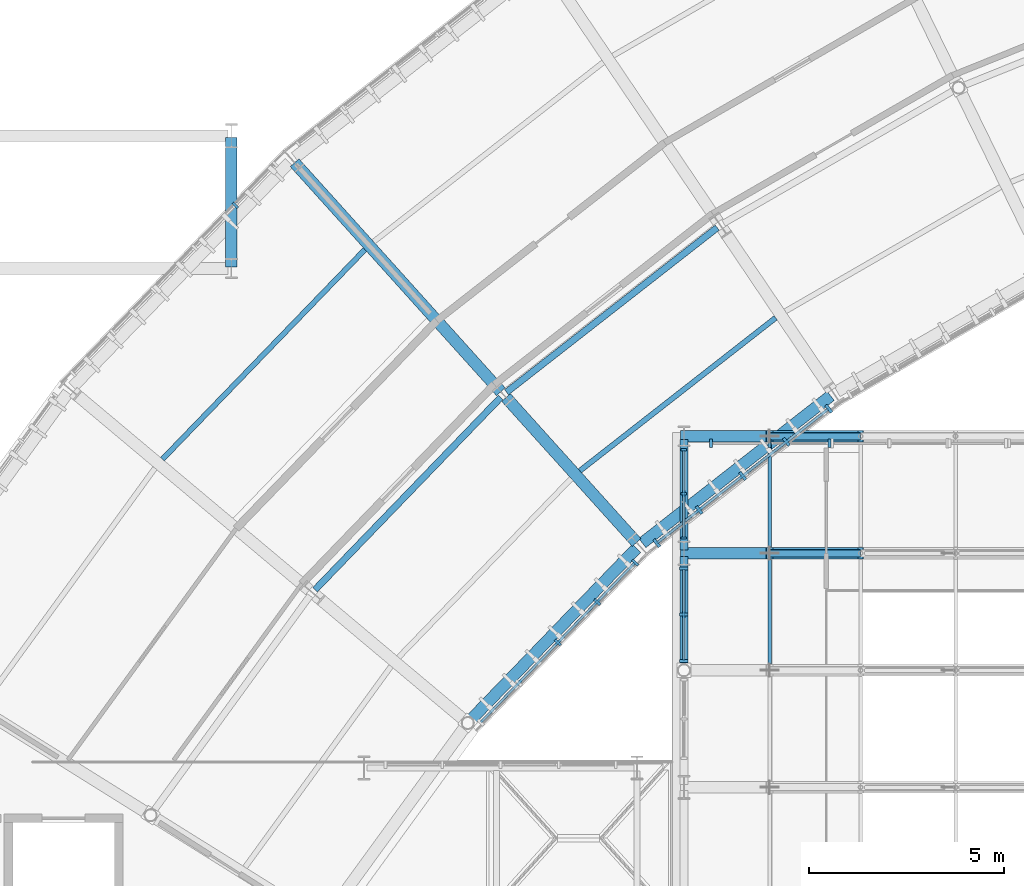
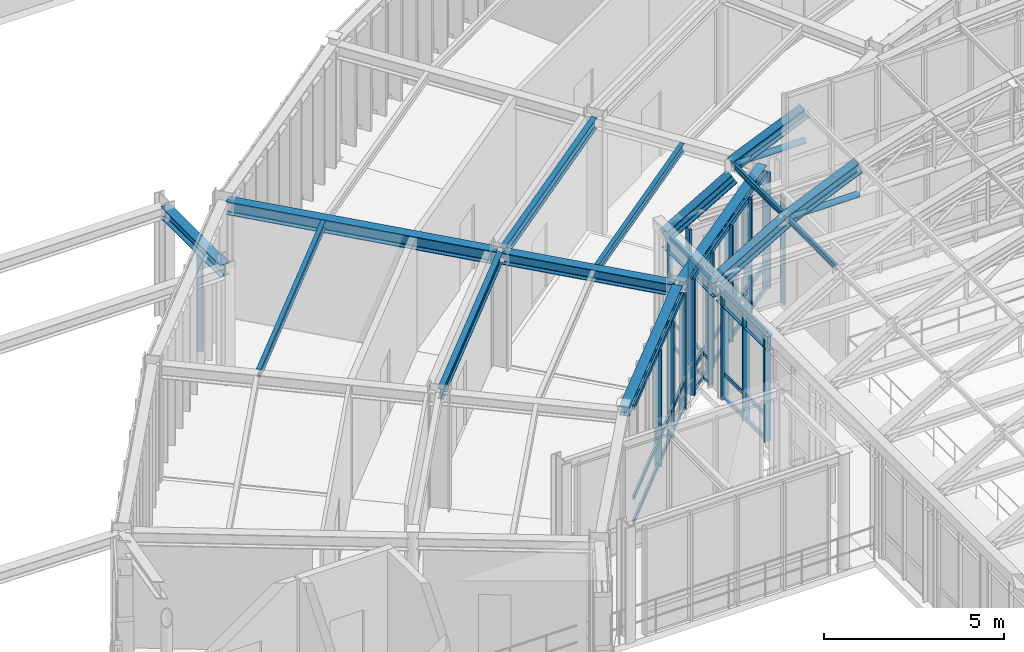
# One storey, part 26 of 148: 32 members, 17 beams, 6 elements without a shape of their own.
"""IFC4 building model written with IfcOpenShell, lengths in metres."""

from ifc_helpers import new_model, si_unit, direction, frame, origin, origin_2d, place, context, subcontext, project, spatial, rectangle, hollow_circle, i_section, extrude, material, layer, layer_set, material_profile, profile_set, type_object, element, aggregate, save


model = new_model("IFC4")

# Units and contexts
model_context = context("Model", 3, precision=1e-05, world=origin(), true_north=direction((0.0, 1.0)))
body_context = subcontext(model_context, "Body", "Model", "MODEL_VIEW")
ifc_project = project(units=[si_unit("LENGTHUNIT", "METRE"), si_unit("AREAUNIT", "SQUARE_METRE"), si_unit("VOLUMEUNIT", "CUBIC_METRE"), si_unit("PLANEANGLEUNIT", "RADIAN"), si_unit("MASSUNIT", "GRAM", prefix="KILO"), si_unit("THERMODYNAMICTEMPERATUREUNIT", "KELVIN"), si_unit("POWERUNIT", "WATT")], contexts=[model_context])

# Site, building, storey
site_placement = place(None, origin())
site = spatial("IfcSite", under=ifc_project, at=site_placement, CompositionType="ELEMENT")
building_placement = place(site_placement, origin())
building = spatial("IfcBuilding", under=site, at=building_placement, Name="Solvatero Civic Police Headquarters", CompositionType="ELEMENT")
storey_placement = place(building_placement, frame((0.0, 0.0, 5.10009765625)))
storey = spatial("IfcBuildingStorey", under=building, at=storey_placement, Name="L01", CompositionType="ELEMENT", Elevation=5.10009765625)

# Beams
ifc_material_1 = material(Name="Steel S355", Category="steel")
ifc_material_profile_1 = material_profile(ifc_material_1, i_section(OverallWidth=0.300048828125, OverallDepth=0.2900390625, WebThickness=0.008544921875, FlangeThickness=0.013916015625, FilletRadius=0.027099609375, at=origin_2d()), Name="HEA 300")
ifc_profile_set_1 = profile_set([ifc_material_profile_1], Name="Steel S355")
beam_type_1 = type_object("IfcBeamType", Name="BM-ST-HEA300", PredefinedType="SPANDREL", material=ifc_profile_set_1)
for number, where, z_axis, x_axis, name in (
    (1, (68.561767578125, 63.535400390625, 3.8349609375), (-0.788005042089, -0.615668785665, 0.0), (0.615668785665, -0.788005042089, 0.0), "Perimeter / radial spandrel beam BM-R2-L01-ARC-CIN-B06"),
    (2, (63.58544921875, 59.629638671875, 3.8349609375), (-0.694666334327, -0.719332109635, 0.0), (0.719332109635, -0.694666334327, 0.0), "Perimeter / radial spandrel beam BM-R2-L01-ARC-CIN-B07"),
):
    element("IfcBeam", number, at=place(storey_placement, frame(where, z_axis=z_axis, x_axis=x_axis)), inside=storey, type_object=beam_type_1, Name=name, PredefinedType="SPANDREL", context=body_context, shape_type="SweptSolid", body=[
        extrude(i_section(OverallWidth=0.300048828125, OverallDepth=0.2900390625, WebThickness=0.008544921875, FlangeThickness=0.013916015625, FilletRadius=0.027099609375, at=origin_2d()), origin(), (0.0, 0.0, 1.0), 6.126953125),
    ])
ifc_material_profile_2 = material_profile(ifc_material_1, i_section(OverallWidth=0.300048828125, OverallDepth=0.389892578125, WebThickness=0.010986328125, FlangeThickness=0.01904296875, FilletRadius=0.027099609375, at=origin_2d()), Name="HEA 400")
ifc_profile_set_2 = profile_set([ifc_material_profile_2], Name="Steel S355")
beam_type_2 = type_object("IfcBeamType", Name="BM-ST-HEA400", PredefinedType="BEAM", material=ifc_profile_set_2)
beam_1_placement = place(storey_placement, frame((63.587890625, 59.77587890625, 3.784912109375), z_axis=(-0.669126573551, 0.743148456614, 0.0), x_axis=(-0.743148456614, -0.669126573551, 0.0)))
element("IfcBeam", 3, at=beam_1_placement, inside=storey, type_object=beam_type_2, Name="Primary girder BM-R2-L01-ARC-RAD1-S06", PredefinedType="BEAM", context=body_context, shape_type="SweptSolid", body=[
    extrude(i_section(OverallWidth=0.300048828125, OverallDepth=0.389892578125, WebThickness=0.010986328125, FlangeThickness=0.01904296875, FilletRadius=0.027099609375, at=origin_2d()), origin(), (0.0, 0.0, 1.0), 5.0),
])
ifc_material_profile_3 = material_profile(ifc_material_1, i_section(OverallWidth=0.300048828125, OverallDepth=0.43994140625, WebThickness=0.011474609375, FlangeThickness=0.02099609375, FilletRadius=0.027099609375, at=origin_2d()), Name="HEA 450")
ifc_profile_set_3 = profile_set([ifc_material_profile_3], Name="Steel S355")
beam_type_3 = type_object("IfcBeamType", Name="BM-ST-HEA450", PredefinedType="BEAM", material=ifc_profile_set_3)
beam_2_placement = place(storey_placement, frame((60.1083984375, 63.640380859375, 3.760009765625), z_axis=(-0.669128632475, 0.743146602766, 0.0), x_axis=(-0.743146602766, -0.669128632475, 0.0)))
element("IfcBeam", 4, at=beam_2_placement, inside=storey, type_object=beam_type_3, Name="Primary girder BM-R2-L01-ARC-RAD2-S06", PredefinedType="BEAM", context=body_context, shape_type="SweptSolid", body=[
    extrude(i_section(OverallWidth=0.300048828125, OverallDepth=0.43994140625, WebThickness=0.011474609375, FlangeThickness=0.02099609375, FilletRadius=0.027099609375, at=origin_2d()), origin(), (0.0, 0.0, 1.0), 7.899658203125),
])
ifc_material_profile_4 = material_profile(ifc_material_1, i_section(OverallWidth=0.300048828125, OverallDepth=0.360107421875, WebThickness=0.012451171875, FlangeThickness=0.0224609375, FilletRadius=0.027099609375, at=origin_2d()), Name="HEB 360")
ifc_profile_set_4 = profile_set([ifc_material_profile_4], Name="Steel S355")
beam_type_4 = type_object("IfcBeamType", Name="BM-ST-HEB360", PredefinedType="BEAM", material=ifc_profile_set_4)
beam_3_placement = place(storey_placement, frame((64.800048828125, 59.5, 3.806884765625), z_axis=(0.865485501766, 0.0, 0.500933973926), x_axis=(0.0, 1.0, 0.0)))
element("IfcBeam", 5, at=beam_3_placement, inside=storey, type_object=beam_type_4, Name="VLT2 Tied-Arch Vault Top Chord F7.1", PredefinedType="BEAM", context=body_context, shape_type="SweptSolid", body=[
    extrude(i_section(OverallWidth=0.300048828125, OverallDepth=0.360107421875, WebThickness=0.012451171875, FlangeThickness=0.0224609375, FilletRadius=0.027099609375, at=origin_2d()), origin(), (0.0, 0.0, 1.0), 2.540283203125),
])
beam_4_placement = place(storey_placement, frame((66.99853515625, 59.5, 5.101806640625), z_axis=(0.917917593787, 0.0, 0.396771081377), x_axis=(0.0, 1.0, 0.0)))
element("IfcBeam", 6, at=beam_4_placement, inside=storey, type_object=beam_type_4, Name="VLT2 Tied-Arch Vault Top Chord F7.2", PredefinedType="BEAM", context=body_context, shape_type="SweptSolid", body=[
    extrude(i_section(OverallWidth=0.300048828125, OverallDepth=0.360107421875, WebThickness=0.012451171875, FlangeThickness=0.0224609375, FilletRadius=0.027099609375, at=origin_2d()), origin(), (0.0, 0.0, 1.0), 2.5400390625),
])
beam_5_placement = place(storey_placement, frame((64.800048828125, 62.5, 3.453857421875), z_axis=(0.865485501766, 0.0, 0.500933973926), x_axis=(0.0, 1.0, 0.0)))
element("IfcBeam", 7, at=beam_5_placement, inside=storey, type_object=beam_type_4, Name="VLT2 Tied-Arch Vault Top Chord F8.1", PredefinedType="BEAM", context=body_context, shape_type="SweptSolid", body=[
    extrude(i_section(OverallWidth=0.300048828125, OverallDepth=0.360107421875, WebThickness=0.012451171875, FlangeThickness=0.0224609375, FilletRadius=0.027099609375, at=origin_2d()), origin(), (0.0, 0.0, 1.0), 2.540283203125),
])
beam_6_placement = place(storey_placement, frame((66.99853515625, 62.5, 5.13623046875), z_axis=(0.917917593787, 0.0, 0.396771081377), x_axis=(0.0, 1.0, 0.0)))
element("IfcBeam", 8, at=beam_6_placement, inside=storey, type_object=beam_type_4, Name="VLT2 Tied-Arch Vault Top Chord F8.2", PredefinedType="BEAM", context=body_context, shape_type="SweptSolid", body=[
    extrude(i_section(OverallWidth=0.300048828125, OverallDepth=0.360107421875, WebThickness=0.012451171875, FlangeThickness=0.0224609375, FilletRadius=0.027099609375, at=origin_2d()), origin(), (0.0, 0.0, 1.0), 2.5400390625),
])
ifc_material_profile_5 = material_profile(ifc_material_1, i_section(OverallWidth=0.300048828125, OverallDepth=0.39990234375, WebThickness=0.013427734375, FlangeThickness=0.02392578125, FilletRadius=0.027099609375, at=origin_2d()), Name="HEB 400")
ifc_profile_set_5 = profile_set([ifc_material_profile_5], Name="Steel S355")
beam_type_5 = type_object("IfcBeamType", Name="BM-ST-HEB400", PredefinedType="BEAM", material=ifc_profile_set_5)
beam_7_placement = place(storey_placement, frame((53.199951171875, 66.840087890625, 3.75), z_axis=(0.0, 1.0, 0.0), x_axis=(-1.0, 0.0, 0.0)))
element("IfcBeam", 9, at=beam_7_placement, inside=storey, type_object=beam_type_5, Name="Primary girder BM-R2-L01-SB2-SEAT-E", PredefinedType="BEAM", context=body_context, shape_type="SweptSolid", body=[
    extrude(i_section(OverallWidth=0.300048828125, OverallDepth=0.39990234375, WebThickness=0.013427734375, FlangeThickness=0.02392578125, FilletRadius=0.027099609375, at=origin_2d()), origin(), (0.0, 0.0, 1.0), 3.31982421875),
])
ifc_material_profile_6 = material_profile(ifc_material_1, i_section(OverallWidth=0.091064453125, OverallDepth=0.179931640625, WebThickness=0.00537109375, FlangeThickness=0.008056640625, FilletRadius=0.009033203125, at=origin_2d()), Name="IPE 180")
ifc_profile_set_6 = profile_set([ifc_material_profile_6], Name="Steel S355")
beam_type_6 = type_object("IfcBeamType", Name="BM-ST-IPE180", PredefinedType="JOIST", material=ifc_profile_set_6)
for number, where, z_axis, x_axis, name in (
    (10, (66.99853515625, 56.657958984375, 5.172119140625), (0.0, 1.0, 0.0), (-1.0, 0.0, 0.0), "VLT2 Vault Roof Purlin B6.1"),
    (11, (66.99853515625, 59.657958984375, 5.17236328125), (0.0, 1.0, 0.0), (-1.0, 0.0, 0.0), "VLT2 Vault Roof Purlin B7.1"),
):
    element("IfcBeam", number, at=place(storey_placement, frame(where, z_axis=z_axis, x_axis=x_axis)), inside=storey, type_object=beam_type_6, Name=name, PredefinedType="JOIST", context=body_context, shape_type="SweptSolid", body=[
        extrude(i_section(OverallWidth=0.091064453125, OverallDepth=0.179931640625, WebThickness=0.00537109375, FlangeThickness=0.008056640625, FilletRadius=0.009033203125, at=origin_2d()), origin(), (0.0, 0.0, 1.0), 2.68408203125),
    ])
ifc_material_profile_7 = material_profile(ifc_material_1, i_section(OverallWidth=0.135009765625, OverallDepth=0.27001953125, WebThickness=0.006591796875, FlangeThickness=0.01025390625, FilletRadius=0.014892578125, at=origin_2d()), Name="IPE 270")
ifc_profile_set_7 = profile_set([ifc_material_profile_7], Name="Steel S355")
beam_type_7 = type_object("IfcBeamType", Name="BM-ST-IPE270", PredefinedType="BEAM", material=ifc_profile_set_7)
beam_8_placement = place(storey_placement, frame((67.15234375, 65.53564453125, 3.844970703125), z_axis=(-0.787994151897, -0.615682723955, 0.0), x_axis=(0.615682723955, -0.787994151897, 0.0)))
element("IfcBeam", 12, at=beam_8_placement, inside=storey, type_object=beam_type_7, Name="Composite floor beam BM-R2-L01-ARC-CS1-B06", PredefinedType="BEAM", context=body_context, shape_type="SweptSolid", body=[
    extrude(i_section(OverallWidth=0.135009765625, OverallDepth=0.27001953125, WebThickness=0.006591796875, FlangeThickness=0.01025390625, FilletRadius=0.014892578125, at=origin_2d()), origin(), (0.0, 0.0, 1.0), 6.36865234375),
])
beam_9_placement = place(storey_placement, frame((56.625244140625, 67.285400390625, 3.844970703125), z_axis=(-0.69464641537, -0.719351345042, 0.0), x_axis=(0.719351345042, -0.69464641537, 0.0)))
element("IfcBeam", 13, at=beam_9_placement, inside=storey, type_object=beam_type_7, Name="Composite floor beam BM-R2-L01-ARC-CS2-B07", PredefinedType="BEAM", context=body_context, shape_type="SweptSolid", body=[
    extrude(i_section(OverallWidth=0.135009765625, OverallDepth=0.27001953125, WebThickness=0.006591796875, FlangeThickness=0.01025390625, FilletRadius=0.014892578125, at=origin_2d()), origin(), (0.0, 0.0, 1.0), 7.470947265625),
])
ifc_material_profile_8 = material_profile(ifc_material_1, i_section(OverallWidth=0.169921875, OverallDepth=0.360107421875, WebThickness=0.008056640625, FlangeThickness=0.0126953125, FilletRadius=0.01806640625, at=origin_2d()), Name="IPE 360")
ifc_profile_set_8 = profile_set([ifc_material_profile_8], Name="Steel S355")
beam_type_8 = type_object("IfcBeamType", Name="BM-ST-IPE360", PredefinedType="BEAM", material=ifc_profile_set_8)
beam_10_placement = place(storey_placement, frame((65.654052734375, 67.84619140625, 3.7998046875), z_axis=(-0.788036257023, -0.615628831047, 0.0), x_axis=(0.615628831047, -0.788036257023, 0.0)))
element("IfcBeam", 14, at=beam_10_placement, inside=storey, type_object=beam_type_8, Name="Composite floor beam BM-R2-L01-ARC-CMID-B06", PredefinedType="BEAM", context=body_context, shape_type="SweptSolid", body=[
    extrude(i_section(OverallWidth=0.169921875, OverallDepth=0.360107421875, WebThickness=0.008056640625, FlangeThickness=0.0126953125, FilletRadius=0.01806640625, at=origin_2d()), origin(), (0.0, 0.0, 1.0), 6.852294921875),
])
beam_11_placement = place(storey_placement, frame((60.10595703125, 63.494140625, 3.7998046875), z_axis=(-0.694635840839, -0.719361556258, 0.0), x_axis=(0.719361556258, -0.694635840839, 0.0)))
element("IfcBeam", 15, at=beam_11_placement, inside=storey, type_object=beam_type_8, Name="Composite floor beam BM-R2-L01-ARC-CMID-B07", PredefinedType="BEAM", context=body_context, shape_type="SweptSolid", body=[
    extrude(i_section(OverallWidth=0.169921875, OverallDepth=0.360107421875, WebThickness=0.008056640625, FlangeThickness=0.0126953125, FilletRadius=0.01806640625, at=origin_2d()), origin(), (0.0, 0.0, 1.0), 6.8525390625),
])
ifc_material_profile_9 = material_profile(ifc_material_1, i_section(OverallWidth=0.199951171875, OverallDepth=0.5, WebThickness=0.01025390625, FlangeThickness=0.01611328125, FilletRadius=0.02099609375, at=origin_2d()), Name="IPE 500")
ifc_profile_set_9 = profile_set([ifc_material_profile_9], Name="Steel S355")
beam_type_9 = type_object("IfcBeamType", Name="BM-ST-IPE500", PredefinedType="BEAM", material=ifc_profile_set_9)
for number, where, z_axis, x_axis, name in (
    (16, (64.800048828125, 56.580078125, 3.429931640625), (0.0, 1.0, 0.0), (-1.0, 0.0, 0.0), "Primary girder BM-R2-VLT2-SPR-W-B6"),
    (17, (64.800048828125, 59.580078125, 3.429931640625), (0.0, 1.0, 0.0), (-1.0, 0.0, 0.0), "Primary girder BM-R2-VLT2-SPR-W-B7"),
):
    element("IfcBeam", number, at=place(storey_placement, frame(where, z_axis=z_axis, x_axis=x_axis)), inside=storey, type_object=beam_type_9, Name=name, PredefinedType="BEAM", context=body_context, shape_type="SweptSolid", body=[
        extrude(i_section(OverallWidth=0.199951171875, OverallDepth=0.5, WebThickness=0.01025390625, FlangeThickness=0.01611328125, FilletRadius=0.02099609375, at=origin_2d()), origin(), (0.0, 0.0, 1.0), 2.83984375),
    ])

# Curtain wall, members
ifc_material_2 = material(Name="Anodized Bronze Aluminium", Category="aluminium")
ifc_layer_1 = layer(ifc_material_2, 0.179931640625)
ifc_layer_set_1 = layer_set([ifc_layer_1], Name="Anodized Bronze Aluminium")
curtain_wall_type_1 = type_object("IfcCurtainWallType", Name="CW-ARC-IN", PredefinedType="USERDEFINED", material=ifc_layer_set_1)
curtain_wall_1_placement = place(storey_placement, origin())
curtain_wall_1 = element("IfcCurtainWall", 18, at=curtain_wall_1_placement, inside=storey, type_object=curtain_wall_type_1, Name="Curtain Wall CW-R2-L01-ARC-IN-B06", ObjectType="UNITISED", PredefinedType="USERDEFINED")
ifc_material_profile_10 = material_profile(ifc_material_2, rectangle(XDim=0.080078125, YDim=0.239990234375, at=origin_2d()), Name="ALU MULLION 80x240")
ifc_profile_set_10 = profile_set([ifc_material_profile_10], Name="Anodized Bronze Aluminium")
member_type_1 = type_object("IfcMemberType", Name="CWM-140x60", PredefinedType="MULLION", material=ifc_profile_set_10)
member_1_placement = place(storey_placement, frame((68.512451171875, 63.20556640625, 0.0), z_axis=(0.0, 0.0, 1.0), x_axis=(-0.788010753607, -0.615661475326, 0.0)))
member_1 = element("IfcMember", 19, at=member_1_placement, type_object=member_type_1, Name="CW-R2-L01-ARC-IN-B06 Mullion 1", PredefinedType="MULLION", context=body_context, shape_type="SweptSolid", body=[
    extrude(rectangle(XDim=0.080078125, YDim=0.239990234375, at=origin_2d()), origin(), (0.0, 0.0, 1.0), 3.93994140625),
])
member_2_placement = place(storey_placement, frame((67.42578125, 62.356689453125, 0.0), z_axis=(0.0, 0.0, 1.0), x_axis=(-0.788010753607, -0.615661475326, 0.0)))
member_2 = element("IfcMember", 20, at=member_2_placement, type_object=member_type_1, Name="CW-R2-L01-ARC-IN-B06 Mullion 2", PredefinedType="MULLION", context=body_context, shape_type="SweptSolid", body=[
    extrude(rectangle(XDim=0.080078125, YDim=0.239990234375, at=origin_2d()), origin(), (0.0, 0.0, 1.0), 3.93994140625),
])
member_3_placement = place(storey_placement, frame((66.307861328125, 61.483154296875, 0.0), z_axis=(0.0, 0.0, 1.0), x_axis=(-0.788010753607, -0.615661475326, 0.0)))
member_3 = element("IfcMember", 21, at=member_3_placement, type_object=member_type_1, Name="CW-R2-L01-ARC-IN-B06 Mullion 3", PredefinedType="MULLION", context=body_context, shape_type="SweptSolid", body=[
    extrude(rectangle(XDim=0.080078125, YDim=0.239990234375, at=origin_2d()), origin(), (0.0, 0.0, 1.0), 3.93994140625),
])
member_4_placement = place(storey_placement, frame((65.18994140625, 60.60986328125, 0.0), z_axis=(0.0, 0.0, 1.0), x_axis=(-0.788010753607, -0.615661475326, 0.0)))
member_4 = element("IfcMember", 22, at=member_4_placement, type_object=member_type_1, Name="CW-R2-L01-ARC-IN-B06 Mullion 4", PredefinedType="MULLION", context=body_context, shape_type="SweptSolid", body=[
    extrude(rectangle(XDim=0.080078125, YDim=0.239990234375, at=origin_2d()), origin(), (0.0, 0.0, 1.0), 3.93994140625),
])
member_5_placement = place(storey_placement, frame((64.103515625, 59.760986328125, 0.0), z_axis=(0.0, 0.0, 1.0), x_axis=(-0.788010753607, -0.615661475326, 0.0)))
member_5 = element("IfcMember", 23, at=member_5_placement, type_object=member_type_1, Name="CW-R2-L01-ARC-IN-B06 Mullion 5", PredefinedType="MULLION", context=body_context, shape_type="SweptSolid", body=[
    extrude(rectangle(XDim=0.080078125, YDim=0.239990234375, at=origin_2d()), origin(), (0.0, 0.0, 1.0), 3.93994140625),
])

ifc_layer_2 = layer(ifc_material_2, 0.179931640625)
ifc_layer_set_2 = layer_set([ifc_layer_2], Name="Anodized Bronze Aluminium")
curtain_wall_type_2 = type_object("IfcCurtainWallType", Name="CW-HAL-GLZ", PredefinedType="USERDEFINED", material=ifc_layer_set_2)
curtain_wall_2_placement = place(storey_placement, origin())
curtain_wall_2 = element("IfcCurtainWall", 24, at=curtain_wall_2_placement, inside=storey, type_object=curtain_wall_type_2, Name="Curtain Wall CW-R2-L01-V2-W-B7", ObjectType="UNITISED", PredefinedType="USERDEFINED")
ifc_material_profile_11 = material_profile(ifc_material_2, rectangle(XDim=0.06005859375, YDim=0.139892578125, at=origin_2d()), Name="ALU MULLION 60x140")
ifc_profile_set_11 = profile_set([ifc_material_profile_11], Name="Anodized Bronze Aluminium")
member_type_2 = type_object("IfcMemberType", Name="CWM-160x65", PredefinedType="MULLION", material=ifc_profile_set_11)
member_6_placement = place(storey_placement, frame((64.800048828125, 59.889892578125, 0.0), z_axis=(0.0, 0.0, 1.0), x_axis=(0.0, 1.0, 0.0)))
member_6 = element("IfcMember", 25, at=member_6_placement, type_object=member_type_2, Name="CW-R2-L01-V2-W-B7 Mullion 1", PredefinedType="MULLION", context=body_context, shape_type="SweptSolid", body=[
    extrude(rectangle(XDim=0.06005859375, YDim=0.139892578125, at=origin_2d()), origin(), (0.0, 0.0, 1.0), 3.659912109375),
])
member_7_placement = place(storey_placement, frame((64.800048828125, 61.02392578125, 0.0), z_axis=(0.0, 0.0, 1.0), x_axis=(0.0, 1.0, 0.0)))
member_7 = element("IfcMember", 26, at=member_7_placement, type_object=member_type_2, Name="CW-R2-L01-V2-W-B7 Mullion 2", PredefinedType="MULLION", context=body_context, shape_type="SweptSolid", body=[
    extrude(rectangle(XDim=0.06005859375, YDim=0.139892578125, at=origin_2d()), origin(), (0.0, 0.0, 1.0), 3.659912109375),
])
member_8_placement = place(storey_placement, frame((64.800048828125, 62.157958984375, 0.0), z_axis=(0.0, 0.0, 1.0), x_axis=(0.0, 1.0, 0.0)))
member_8 = element("IfcMember", 27, at=member_8_placement, type_object=member_type_2, Name="CW-R2-L01-V2-W-B7 Mullion 3", PredefinedType="MULLION", context=body_context, shape_type="SweptSolid", body=[
    extrude(rectangle(XDim=0.06005859375, YDim=0.139892578125, at=origin_2d()), origin(), (0.0, 0.0, 1.0), 3.659912109375),
])

# Curtain wall, member
ifc_layer_3 = layer(ifc_material_2, 0.179931640625)
ifc_layer_set_3 = layer_set([ifc_layer_3], Name="Anodized Bronze Aluminium")
curtain_wall_type_3 = type_object("IfcCurtainWallType", Name="CW-ARC-OUT", PredefinedType="USERDEFINED", material=ifc_layer_set_3)
curtain_wall_3_placement = place(storey_placement, origin())
curtain_wall_3 = element("IfcCurtainWall", 28, at=curtain_wall_3_placement, inside=storey, type_object=curtain_wall_type_3, Name="Curtain Wall CW-R2-L01-ARC-OUT-B07", ObjectType="UNITISED", PredefinedType="USERDEFINED")
ifc_material_profile_12 = material_profile(ifc_material_2, rectangle(XDim=0.06494140625, YDim=0.179931640625, at=origin_2d()), Name="ALU MULLION 65x180")
ifc_profile_set_12 = profile_set([ifc_material_profile_12], Name="Anodized Bronze Aluminium")
member_type_3 = type_object("IfcMemberType", Name="CWM-200x75", PredefinedType="MULLION", material=ifc_profile_set_12)
member_9_placement = place(storey_placement, frame((53.306640625, 68.415283203125, 0.0), z_axis=(0.0, 0.0, 1.0), x_axis=(-0.694645815505, -0.719351924305, 0.0)))
member_9 = element("IfcMember", 29, at=member_9_placement, type_object=member_type_3, Name="CW-R2-L01-ARC-OUT-B07 Mullion 2", PredefinedType="MULLION", context=body_context, shape_type="SweptSolid", body=[
    extrude(rectangle(XDim=0.06494140625, YDim=0.179931640625, at=origin_2d()), origin(), (0.0, 0.0, 1.0), 3.93994140625),
])
aggregate(curtain_wall_3, [member_9])

# Curtain wall, members
curtain_wall_4_placement = place(storey_placement, origin())
curtain_wall_4 = element("IfcCurtainWall", 30, at=curtain_wall_4_placement, inside=storey, type_object=curtain_wall_type_1, Name="Curtain Wall CW-R2-L01-ARC-IN-B07", ObjectType="UNITISED", PredefinedType="USERDEFINED")
ifc_material_profile_13 = material_profile(ifc_material_2, rectangle(XDim=0.070068359375, YDim=0.199951171875, at=origin_2d()), Name="ALU MULLION 70x200")
ifc_profile_set_13 = profile_set([ifc_material_profile_13], Name="Anodized Bronze Aluminium")
member_type_4 = type_object("IfcMemberType", Name="CWM-220x80", PredefinedType="MULLION", material=ifc_profile_set_13)
member_10_placement = place(storey_placement, frame((63.549072265625, 59.26171875, 0.0), z_axis=(0.0, 0.0, 1.0), x_axis=(-0.694658370459, -0.719339800339, 0.0)))
member_10 = element("IfcMember", 31, at=member_10_placement, type_object=member_type_4, Name="CW-R2-L01-ARC-IN-B07 Mullion 1", PredefinedType="MULLION", context=body_context, shape_type="SweptSolid", body=[
    extrude(rectangle(XDim=0.070068359375, YDim=0.199951171875, at=origin_2d()), origin(), (0.0, 0.0, 1.0), 3.93994140625),
])
member_11_placement = place(storey_placement, frame((62.573974609375, 58.251953125, 0.0), z_axis=(0.0, 0.0, 1.0), x_axis=(-0.694658370459, -0.719339800339, 0.0)))
member_11 = element("IfcMember", 32, at=member_11_placement, type_object=member_type_4, Name="CW-R2-L01-ARC-IN-B07 Mullion 2", PredefinedType="MULLION", context=body_context, shape_type="SweptSolid", body=[
    extrude(rectangle(XDim=0.070068359375, YDim=0.199951171875, at=origin_2d()), origin(), (0.0, 0.0, 1.0), 3.93994140625),
])
member_12_placement = place(storey_placement, frame((61.571044921875, 57.21337890625, 0.0), z_axis=(0.0, 0.0, 1.0), x_axis=(-0.694658370459, -0.719339800339, 0.0)))
member_12 = element("IfcMember", 33, at=member_12_placement, type_object=member_type_4, Name="CW-R2-L01-ARC-IN-B07 Mullion 3", PredefinedType="MULLION", context=body_context, shape_type="SweptSolid", body=[
    extrude(rectangle(XDim=0.070068359375, YDim=0.199951171875, at=origin_2d()), origin(), (0.0, 0.0, 1.0), 3.93994140625),
])

curtain_wall_5_placement = place(storey_placement, origin())
curtain_wall_5 = element("IfcCurtainWall", 34, at=curtain_wall_5_placement, inside=storey, type_object=curtain_wall_type_2, Name="Curtain Wall CW-R2-L01-V2-W-B6", ObjectType="UNITISED", PredefinedType="USERDEFINED")
ifc_material_profile_14 = material_profile(ifc_material_2, rectangle(XDim=0.074951171875, YDim=0.219970703125, at=origin_2d()), Name="ALU MULLION 75x220")
ifc_profile_set_14 = profile_set([ifc_material_profile_14], Name="Anodized Bronze Aluminium")
member_type_5 = type_object("IfcMemberType", Name="CWM-250x85", PredefinedType="MULLION", material=ifc_profile_set_14)
member_13_placement = place(storey_placement, frame((64.800048828125, 56.741943359375, 0.0), z_axis=(0.0, 0.0, 1.0), x_axis=(0.0, 1.0, 0.0)))
member_13 = element("IfcMember", 35, at=member_13_placement, type_object=member_type_5, Name="CW-R2-L01-V2-W-B6 Mullion 1", PredefinedType="MULLION", context=body_context, shape_type="SweptSolid", body=[
    extrude(rectangle(XDim=0.074951171875, YDim=0.219970703125, at=origin_2d()), origin(), (0.0, 0.0, 1.0), 3.659912109375),
])
member_14_placement = place(storey_placement, frame((64.800048828125, 57.926025390625, 0.0), z_axis=(0.0, 0.0, 1.0), x_axis=(0.0, 1.0, 0.0)))
member_14 = element("IfcMember", 36, at=member_14_placement, type_object=member_type_5, Name="CW-R2-L01-V2-W-B6 Mullion 2", PredefinedType="MULLION", context=body_context, shape_type="SweptSolid", body=[
    extrude(rectangle(XDim=0.074951171875, YDim=0.219970703125, at=origin_2d()), origin(), (0.0, 0.0, 1.0), 3.659912109375),
])
member_15_placement = place(storey_placement, frame((64.800048828125, 59.110107421875, 0.0), z_axis=(0.0, 0.0, 1.0), x_axis=(0.0, 1.0, 0.0)))
member_15 = element("IfcMember", 37, at=member_15_placement, type_object=member_type_5, Name="CW-R2-L01-V2-W-B6 Mullion 3", PredefinedType="MULLION", context=body_context, shape_type="SweptSolid", body=[
    extrude(rectangle(XDim=0.074951171875, YDim=0.219970703125, at=origin_2d()), origin(), (0.0, 0.0, 1.0), 3.659912109375),
])

curtain_wall_6_placement = place(storey_placement, origin())
curtain_wall_6 = element("IfcCurtainWall", 38, at=curtain_wall_6_placement, inside=storey, type_object=curtain_wall_type_2, Name="Curtain Wall CW-R2-L01-V2-N", ObjectType="UNITISED", PredefinedType="USERDEFINED")
member_16_placement = place(storey_placement, frame((65.5, 62.320068359375, 0.0), z_axis=(0.0, 0.0, 1.0), x_axis=(1.0, 0.0, 0.0)))
member_16 = element("IfcMember", 39, at=member_16_placement, type_object=member_type_5, Name="CW-R2-L01-V2-N Mullion 1", PredefinedType="MULLION", context=body_context, shape_type="SweptSolid", body=[
    extrude(rectangle(XDim=0.074951171875, YDim=0.219970703125, at=origin_2d()), origin(), (0.0, 0.0, 1.0), 3.619873046875),
])
member_17_placement = place(storey_placement, frame((66.995849609375, 62.320068359375, 0.0), z_axis=(0.0, 0.0, 1.0), x_axis=(1.0, 0.0, 0.0)))
member_17 = element("IfcMember", 40, at=member_17_placement, type_object=member_type_5, Name="CW-R2-L01-V2-N Mullion 2", PredefinedType="MULLION", context=body_context, shape_type="SweptSolid", body=[
    extrude(rectangle(XDim=0.074951171875, YDim=0.219970703125, at=origin_2d()), origin(), (0.0, 0.0, 1.0), 3.619873046875),
])
member_18_placement = place(storey_placement, frame((68.53173828125, 62.320068359375, 0.0), z_axis=(0.0, 0.0, 1.0), x_axis=(1.0, 0.0, 0.0)))
member_18 = element("IfcMember", 41, at=member_18_placement, type_object=member_type_5, Name="CW-R2-L01-V2-N Mullion 3", PredefinedType="MULLION", context=body_context, shape_type="SweptSolid", body=[
    extrude(rectangle(XDim=0.074951171875, YDim=0.219970703125, at=origin_2d()), origin(), (0.0, 0.0, 1.0), 3.619873046875),
])
aggregate(curtain_wall_6, [member_16, member_17, member_18])

# Member
ifc_material_profile_15 = material_profile(ifc_material_2, rectangle(XDim=0.070068359375, YDim=0.159912109375, at=origin_2d()), Name="ALU TRANSOM 70x160")
ifc_profile_set_15 = profile_set([ifc_material_profile_15], Name="Anodized Bronze Aluminium")
member_type_6 = type_object("IfcMemberType", Name="CWT-120x55", PredefinedType="USERDEFINED", material=ifc_profile_set_15)
member_19_placement = place(storey_placement, frame((68.50439453125, 63.199462890625, 0.039794921875), z_axis=(-0.787999144008, -0.615676334645, 0.0), x_axis=(0.615676334645, -0.787999144008, 0.0)))
member_19 = element("IfcMember", 42, at=member_19_placement, type_object=member_type_6, Name="CW-R2-L01-ARC-IN-B06 Transom 1", ObjectType="TRANSOM", PredefinedType="USERDEFINED", context=body_context, shape_type="SweptSolid", body=[
    extrude(rectangle(XDim=0.070068359375, YDim=0.159912109375, at=origin_2d()), origin(), (0.0, 0.0, 1.0), 5.574951171875),
])

member_20_placement = place(storey_placement, frame((68.50439453125, 63.199462890625, 0.849853515625), z_axis=(-0.787999144008, -0.615676334645, 0.0), x_axis=(0.615676334645, -0.787999144008, 0.0)))
member_20 = element("IfcMember", 43, at=member_20_placement, type_object=member_type_6, Name="CW-R2-L01-ARC-IN-B06 Transom 2", ObjectType="TRANSOM", PredefinedType="USERDEFINED", context=body_context, shape_type="SweptSolid", body=[
    extrude(rectangle(XDim=0.070068359375, YDim=0.159912109375, at=origin_2d()), origin(), (0.0, 0.0, 1.0), 5.574951171875),
])

member_21_placement = place(storey_placement, frame((68.50439453125, 63.199462890625, 3.89990234375), z_axis=(-0.787999144008, -0.615676334645, 0.0), x_axis=(0.615676334645, -0.787999144008, 0.0)))
member_21 = element("IfcMember", 44, at=member_21_placement, type_object=member_type_6, Name="CW-R2-L01-ARC-IN-B06 Transom 3", ObjectType="TRANSOM", PredefinedType="USERDEFINED", context=body_context, shape_type="SweptSolid", body=[
    extrude(rectangle(XDim=0.070068359375, YDim=0.159912109375, at=origin_2d()), origin(), (0.0, 0.0, 1.0), 5.574951171875),
])

aggregate(curtain_wall_1, [member_1, member_2, member_3, member_4, member_5, member_19, member_20, member_21])

ifc_material_profile_16 = material_profile(ifc_material_2, rectangle(XDim=0.06005859375, YDim=0.110107421875, at=origin_2d()), Name="ALU TRANSOM 60x110")
ifc_profile_set_16 = profile_set([ifc_material_profile_16], Name="Anodized Bronze Aluminium")
member_type_7 = type_object("IfcMemberType", Name="CWT-140x60", PredefinedType="USERDEFINED", material=ifc_profile_set_16)
member_22_placement = place(storey_placement, frame((64.800048828125, 59.89990234375, 0.039794921875), z_axis=(0.0, 1.0, 0.0), x_axis=(-1.0, 0.0, 0.0)))
member_22 = element("IfcMember", 45, at=member_22_placement, type_object=member_type_7, Name="CW-R2-L01-V2-W-B7 Transom 1", ObjectType="TRANSOM", PredefinedType="USERDEFINED", context=body_context, shape_type="SweptSolid", body=[
    extrude(rectangle(XDim=0.06005859375, YDim=0.110107421875, at=origin_2d()), origin(), (0.0, 0.0, 1.0), 2.248046875),
])

member_23_placement = place(storey_placement, frame((64.800048828125, 59.89990234375, 0.849853515625), z_axis=(0.0, 1.0, 0.0), x_axis=(-1.0, 0.0, 0.0)))
member_23 = element("IfcMember", 46, at=member_23_placement, type_object=member_type_7, Name="CW-R2-L01-V2-W-B7 Transom 2", ObjectType="TRANSOM", PredefinedType="USERDEFINED", context=body_context, shape_type="SweptSolid", body=[
    extrude(rectangle(XDim=0.06005859375, YDim=0.110107421875, at=origin_2d()), origin(), (0.0, 0.0, 1.0), 2.248046875),
])

member_24_placement = place(storey_placement, frame((64.800048828125, 59.89990234375, 3.619873046875), z_axis=(0.0, 1.0, 0.0), x_axis=(-1.0, 0.0, 0.0)))
member_24 = element("IfcMember", 47, at=member_24_placement, type_object=member_type_7, Name="CW-R2-L01-V2-W-B7 Transom 3", ObjectType="TRANSOM", PredefinedType="USERDEFINED", context=body_context, shape_type="SweptSolid", body=[
    extrude(rectangle(XDim=0.06005859375, YDim=0.110107421875, at=origin_2d()), origin(), (0.0, 0.0, 1.0), 2.248046875),
])

aggregate(curtain_wall_2, [member_6, member_7, member_8, member_22, member_23, member_24])

ifc_material_profile_17 = material_profile(ifc_material_2, rectangle(XDim=0.06494140625, YDim=0.139892578125, at=origin_2d()), Name="ALU TRANSOM 65x140")
ifc_profile_set_17 = profile_set([ifc_material_profile_17], Name="Anodized Bronze Aluminium")
member_type_8 = type_object("IfcMemberType", Name="CWT-180x70", PredefinedType="USERDEFINED", material=ifc_profile_set_17)
member_25_placement = place(storey_placement, frame((63.5419921875, 59.25439453125, 0.039794921875), z_axis=(-0.694673590257, -0.71932510244, 0.0), x_axis=(0.71932510244, -0.694673590257, 0.0)))
member_25 = element("IfcMember", 48, at=member_25_placement, type_object=member_type_8, Name="CW-R2-L01-ARC-IN-B07 Transom 1", ObjectType="TRANSOM", PredefinedType="USERDEFINED", context=body_context, shape_type="SweptSolid", body=[
    extrude(rectangle(XDim=0.06494140625, YDim=0.139892578125, at=origin_2d()), origin(), (0.0, 0.0, 1.0), 5.6748046875),
])

member_26_placement = place(storey_placement, frame((63.5419921875, 59.25439453125, 0.849853515625), z_axis=(-0.694673590257, -0.71932510244, 0.0), x_axis=(0.71932510244, -0.694673590257, 0.0)))
member_26 = element("IfcMember", 49, at=member_26_placement, type_object=member_type_8, Name="CW-R2-L01-ARC-IN-B07 Transom 2", ObjectType="TRANSOM", PredefinedType="USERDEFINED", context=body_context, shape_type="SweptSolid", body=[
    extrude(rectangle(XDim=0.06494140625, YDim=0.139892578125, at=origin_2d()), origin(), (0.0, 0.0, 1.0), 5.6748046875),
])

member_27_placement = place(storey_placement, frame((63.5419921875, 59.25439453125, 3.89990234375), z_axis=(-0.694673590257, -0.71932510244, 0.0), x_axis=(0.71932510244, -0.694673590257, 0.0)))
member_27 = element("IfcMember", 50, at=member_27_placement, type_object=member_type_8, Name="CW-R2-L01-ARC-IN-B07 Transom 3", ObjectType="TRANSOM", PredefinedType="USERDEFINED", context=body_context, shape_type="SweptSolid", body=[
    extrude(rectangle(XDim=0.06494140625, YDim=0.139892578125, at=origin_2d()), origin(), (0.0, 0.0, 1.0), 5.6748046875),
])

aggregate(curtain_wall_4, [member_10, member_11, member_12, member_25, member_26, member_27])

member_28_placement = place(storey_placement, frame((64.800048828125, 56.751953125, 0.039794921875), z_axis=(0.0, 1.0, 0.0), x_axis=(-1.0, 0.0, 0.0)))
member_28 = element("IfcMember", 51, at=member_28_placement, type_object=member_type_8, Name="CW-R2-L01-V2-W-B6 Transom 1", ObjectType="TRANSOM", PredefinedType="USERDEFINED", context=body_context, shape_type="SweptSolid", body=[
    extrude(rectangle(XDim=0.06494140625, YDim=0.139892578125, at=origin_2d()), origin(), (0.0, 0.0, 1.0), 2.34814453125),
])

member_29_placement = place(storey_placement, frame((64.800048828125, 56.751953125, 0.849853515625), z_axis=(0.0, 1.0, 0.0), x_axis=(-1.0, 0.0, 0.0)))
member_29 = element("IfcMember", 52, at=member_29_placement, type_object=member_type_8, Name="CW-R2-L01-V2-W-B6 Transom 2", ObjectType="TRANSOM", PredefinedType="USERDEFINED", context=body_context, shape_type="SweptSolid", body=[
    extrude(rectangle(XDim=0.06494140625, YDim=0.139892578125, at=origin_2d()), origin(), (0.0, 0.0, 1.0), 2.34814453125),
])

member_30_placement = place(storey_placement, frame((64.800048828125, 56.751953125, 3.619873046875), z_axis=(0.0, 1.0, 0.0), x_axis=(-1.0, 0.0, 0.0)))
member_30 = element("IfcMember", 53, at=member_30_placement, type_object=member_type_8, Name="CW-R2-L01-V2-W-B6 Transom 3", ObjectType="TRANSOM", PredefinedType="USERDEFINED", context=body_context, shape_type="SweptSolid", body=[
    extrude(rectangle(XDim=0.06494140625, YDim=0.139892578125, at=origin_2d()), origin(), (0.0, 0.0, 1.0), 2.34814453125),
])

aggregate(curtain_wall_5, [member_13, member_14, member_15, member_28, member_29, member_30])

# Members
ifc_material_profile_18 = material_profile(ifc_material_1, hollow_circle(Radius=0.096923828125, WallThickness=0.010009765625, at=origin_2d()), Name="CHS 193.7x10.0")
ifc_profile_set_18 = profile_set([ifc_material_profile_18], Name="Steel S355")
member_type_9 = type_object("IfcMemberType", Name="MB-TIE-CHS194", PredefinedType="CHORD", material=ifc_profile_set_18)
for number, where, z_axis, x_axis, name in (
    (54, (66.99853515625, 59.5, 5.13623046875), (1.0, 0.0, 0.0), (0.0, 1.0, 0.0), "VLT2 Vault Horizontal Tie Chord F7.1"),
    (55, (66.99853515625, 62.5, 5.13623046875), (1.0, 0.0, 0.0), (0.0, 1.0, 0.0), "VLT2 Vault Horizontal Tie Chord F8.1"),
):
    element("IfcMember", number, at=place(storey_placement, frame(where, z_axis=z_axis, x_axis=x_axis)), inside=storey, type_object=member_type_9, Name=name, PredefinedType="CHORD", context=body_context, shape_type="SweptSolid", body=[
        extrude(hollow_circle(Radius=0.096923828125, WallThickness=0.010009765625, at=origin_2d()), origin(), (0.0, 0.0, 1.0), 2.33154296875),
    ])

save(model, "model.ifc")
